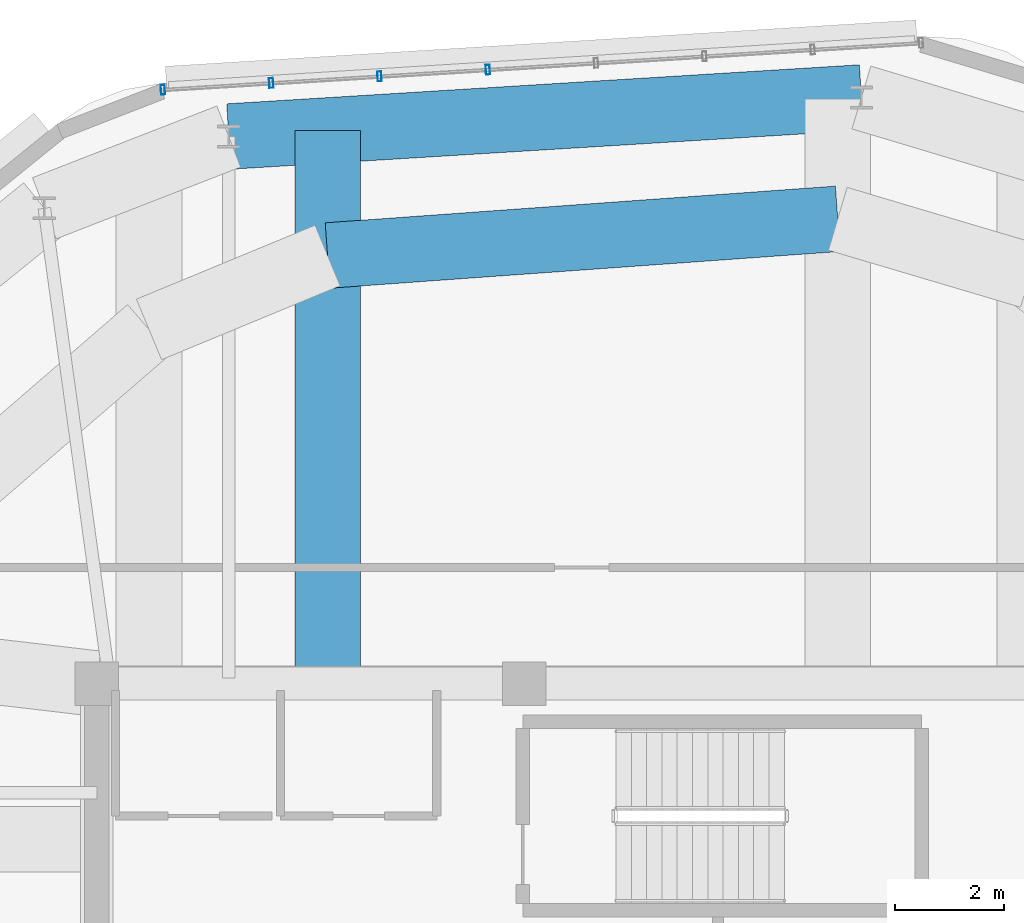
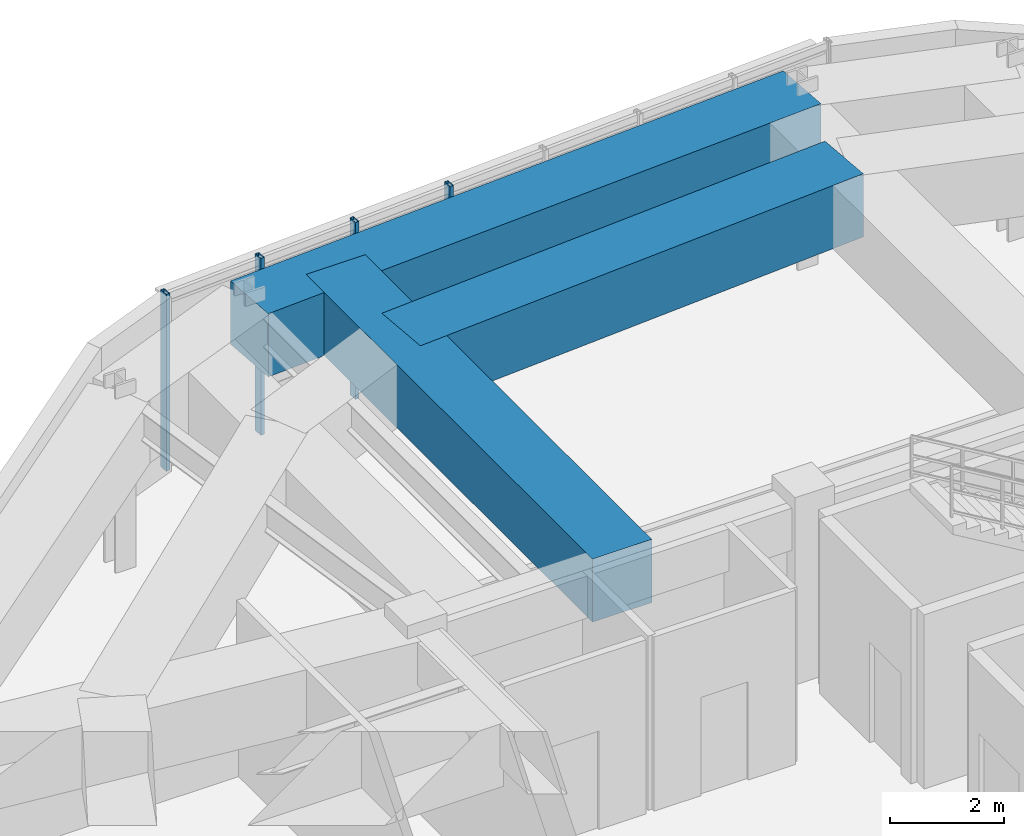
# One storey, part 10 of 17: 4 members, 3 beams, 1 element without a shape of its own.
"""IFC4 building model written with IfcOpenShell, lengths in metres."""

from ifc_helpers import new_model, si_unit, direction, frame, origin, origin_2d, place, context, subcontext, project, spatial, rectangle, hollow_rectangle, extrude, material, material_profile, profile_set, type_object, element, aggregate, save


model = new_model("IFC4")

# Units and contexts
model_context = context("Model", 3, precision=1e-05, world=origin(), true_north=direction((0.0, 1.0)))
body_context = subcontext(model_context, "Body", "Model", "MODEL_VIEW")
ifc_project = project(units=[si_unit("LENGTHUNIT", "METRE"), si_unit("AREAUNIT", "SQUARE_METRE"), si_unit("VOLUMEUNIT", "CUBIC_METRE"), si_unit("PLANEANGLEUNIT", "RADIAN"), si_unit("MASSUNIT", "GRAM", prefix="KILO")], contexts=[model_context])

# Site, building, storey
site_placement = place(None, origin())
site = spatial("IfcSite", under=ifc_project, at=site_placement, CompositionType="ELEMENT")
building_placement = place(site_placement, origin())
building = spatial("IfcBuilding", under=site, at=building_placement, Name="Zulverin Broadcast Headquarters", CompositionType="ELEMENT")
storey_placement = place(building_placement, frame((0.0, 0.0, 317.39990234375)))
storey = spatial("IfcBuildingStorey", under=building, at=storey_placement, Name="C2", CompositionType="ELEMENT", Elevation=317.39990234375)

# Beams
ifc_material_1 = material(Name="Concrete C50/60", Category="concrete")
ifc_material_profile_1 = material_profile(ifc_material_1, rectangle(XDim=1.199951171875, YDim=1.35009765625, at=origin_2d()), Name="Concrete C50/60", Category="concrete")
ifc_profile_set_1 = profile_set([ifc_material_profile_1], Name="Concrete C50/60")
beam_type = type_object("IfcBeamType", Name="BM-TG-CRN-1350", PredefinedType="USERDEFINED", material=ifc_profile_set_1)
beam_1_placement = place(storey_placement, frame((44.622314453125, 43.80419921875, 3.045166015625), z_axis=(-0.998101715352, -0.061587058792, 0.0), x_axis=(0.061587058792, -0.998101715352, 0.0)))
element("IfcBeam", 1, at=beam_1_placement, inside=storey, type_object=beam_type, Name="C2 Perimeter Transfer Ring Girder SP-09", ObjectType="TRANSFER GIRDER", PredefinedType="USERDEFINED", context=body_context, shape_type="SweptSolid", body=[
    extrude(rectangle(XDim=1.199951171875, YDim=1.35009765625, at=origin_2d()), origin(), (0.0, 0.0, 1.0), 11.60302734375),
])
beam_2_placement = place(storey_placement, frame((44.189453125, 41.58349609375, 3.045166015625), z_axis=(-0.997422305712, -0.071754749446, 0.0), x_axis=(0.071754749446, -0.997422305712, 0.0)))
element("IfcBeam", 2, at=beam_2_placement, inside=storey, type_object=beam_type, Name="C3 Step Transfer Ring Girder TGR-09", ObjectType="TRANSFER GIRDER", PredefinedType="USERDEFINED", context=body_context, shape_type="SweptSolid", body=[
    extrude(rectangle(XDim=1.199951171875, YDim=1.35009765625, at=origin_2d()), origin(), (0.0, 0.0, 1.0), 9.363525390625),
])
beam_3_placement = place(storey_placement, frame((34.85009765625, 33.175048828125, 3.045166015625), z_axis=(0.0, 1.0, 0.0), x_axis=(-1.0, 0.0, 0.0)))
element("IfcBeam", 3, at=beam_3_placement, inside=storey, type_object=beam_type, Name="C3 Step Transfer Girder TG-10", ObjectType="TRANSFER GIRDER", PredefinedType="USERDEFINED", context=body_context, shape_type="SweptSolid", body=[
    extrude(rectangle(XDim=1.199951171875, YDim=1.35009765625, at=origin_2d()), origin(), (0.0, 0.0, 1.0), 10.0263671875),
])

# Curtain wall, members
ifc_material_2 = material(Name="Crown damper-hall structural glass curtain wall", Category="glass")
curtain_wall_type = type_object("IfcCurtainWallType", Name="CW-CRN", PredefinedType="USERDEFINED", material=ifc_material_2)
curtain_wall_placement = place(storey_placement, origin())
curtain_wall = element("IfcCurtainWall", 4, at=curtain_wall_placement, inside=storey, type_object=curtain_wall_type, Name="C2 Unitised Curtain Wall CW-C2-E5", ObjectType="UNITISED CURTAIN WALL", PredefinedType="USERDEFINED")
ifc_material_3 = material(Name="Anodized pale-metal aluminium alloy 6063-T6", Category="aluminium")
ifc_material_profile_2 = material_profile(ifc_material_3, hollow_rectangle(XDim=0.074951171875, YDim=0.179931640625, WallThickness=0.0048828125, at=origin_2d()), Name="Anodized pale-metal aluminium alloy 6063-T6", Category="aluminium")
ifc_profile_set_2 = profile_set([ifc_material_profile_2], Name="Anodized pale-metal aluminium alloy 6063-T6")
member_type = type_object("IfcMemberType", Name="CW-MUL-180", PredefinedType="MULLION", material=ifc_profile_set_2)
member_1_placement = place(storey_placement, frame((37.783203125, 44.31396484375, -0.02978515625), z_axis=(0.0, 0.0, 1.0), x_axis=(-0.998102804121, -0.061569411283, 0.0)))
member_1 = element("IfcMember", 5, at=member_1_placement, type_object=member_type, Name="CW-C2-E5 Mullion 04", PredefinedType="MULLION", context=body_context, shape_type="SweptSolid", body=[
    extrude(hollow_rectangle(XDim=0.074951171875, YDim=0.179931640625, WallThickness=0.0048828125, at=origin_2d()), origin(), (0.0, 0.0, 1.0), 3.77978515625),
])
member_2_placement = place(storey_placement, frame((35.80078125, 44.191650390625, -0.02978515625), z_axis=(0.0, 0.0, 1.0), x_axis=(-0.998102804121, -0.061569411283, 0.0)))
member_2 = element("IfcMember", 6, at=member_2_placement, type_object=member_type, Name="CW-C2-E5 Mullion 05", PredefinedType="MULLION", context=body_context, shape_type="SweptSolid", body=[
    extrude(hollow_rectangle(XDim=0.074951171875, YDim=0.179931640625, WallThickness=0.0048828125, at=origin_2d()), origin(), (0.0, 0.0, 1.0), 3.77978515625),
])
member_3_placement = place(storey_placement, frame((33.818603515625, 44.0693359375, -0.02978515625), z_axis=(0.0, 0.0, 1.0), x_axis=(-0.998102804121, -0.061569411283, 0.0)))
member_3 = element("IfcMember", 7, at=member_3_placement, type_object=member_type, Name="CW-C2-E5 Mullion 06", PredefinedType="MULLION", context=body_context, shape_type="SweptSolid", body=[
    extrude(hollow_rectangle(XDim=0.074951171875, YDim=0.179931640625, WallThickness=0.0048828125, at=origin_2d()), origin(), (0.0, 0.0, 1.0), 3.77978515625),
])
member_4_placement = place(storey_placement, frame((31.836181640625, 43.947021484375, -0.02978515625), z_axis=(0.0, 0.0, 1.0), x_axis=(-0.998102804121, -0.061569411283, 0.0)))
member_4 = element("IfcMember", 8, at=member_4_placement, type_object=member_type, Name="CW-C2-E5 Mullion 07", PredefinedType="MULLION", context=body_context, shape_type="SweptSolid", body=[
    extrude(hollow_rectangle(XDim=0.074951171875, YDim=0.179931640625, WallThickness=0.0048828125, at=origin_2d()), origin(), (0.0, 0.0, 1.0), 3.77978515625),
])
aggregate(curtain_wall, [member_1, member_2, member_3, member_4])

save(model, "model.ifc")
